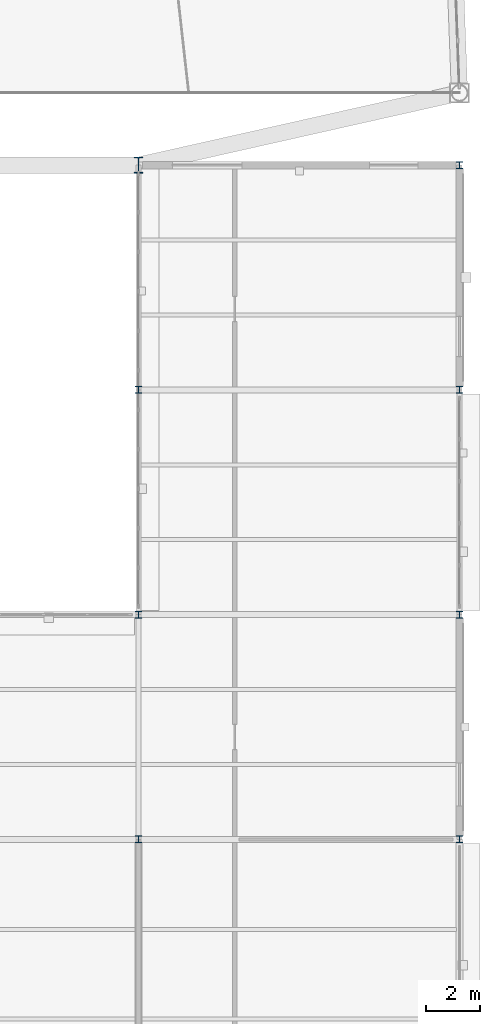
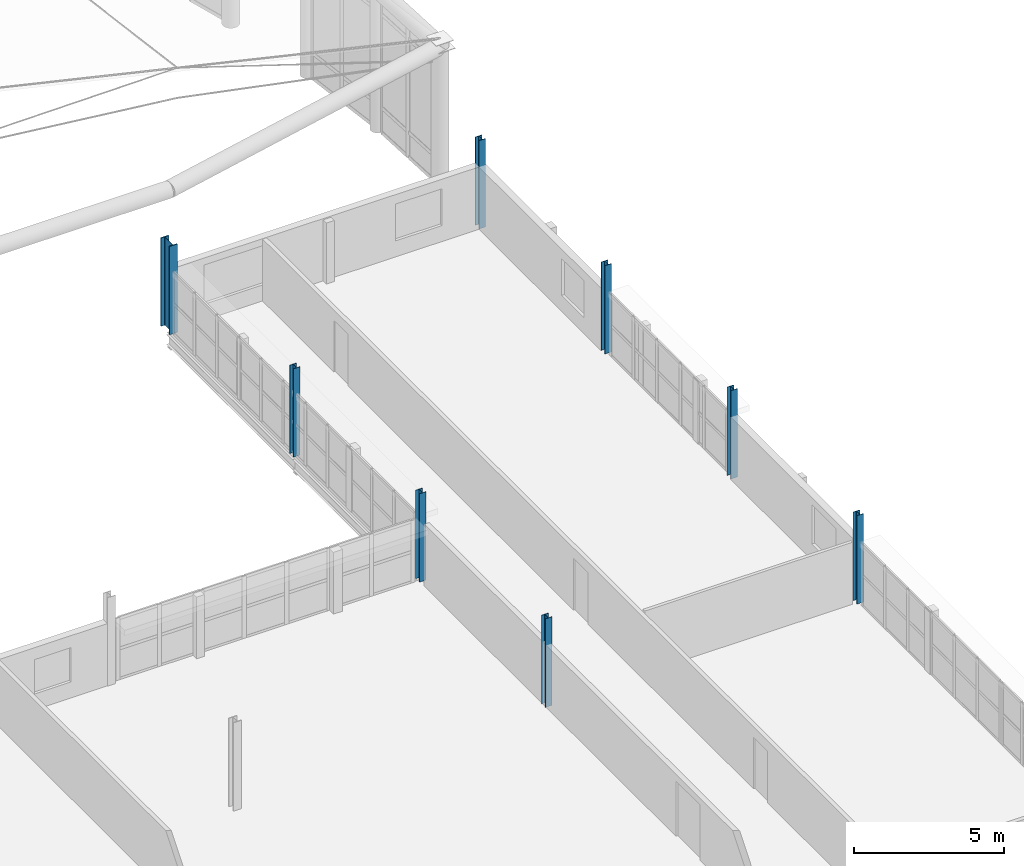
# One storey, part 20 of 101: 8 columns.
"""IFC4 building model written with IfcOpenShell, lengths in metres."""

import ifcopenshell
import ifcopenshell.guid

model = None  # the IFC model being written
_history = None  # IfcOwnerHistory: only IFC2X3 demands one
_inside = {}  # id of a spatial element -> (the spatial element, [elements in it])
_under = {}  # id of a project, library or spatial element -> (it, [spatial elements below it])
_declared = {}  # id of a project -> (the project, [libraries it declares])
_typed = {}  # id of a type object -> (the type object, [elements of that type])
_made_of = {}  # id of a material, layer set ... -> (it, [elements and type objects made of it])


def new_model(schema):
    """Start an empty IFC model of exactly this schema.

    Asked for "IFC4X3", IfcOpenShell would pick the latest addendum, in which some entities
    have other attributes; the version numbers below select the first issue.
    IFC2X3 requires an IfcOwnerHistory on every rooted entity: one is made here for all.
    """
    global model, _history
    if schema == "IFC4X3":
        model = ifcopenshell.file(schema_version=(4, 3, 0, 0))
    else:
        model = ifcopenshell.file(schema=schema)
    _inside.clear()
    _under.clear()
    _declared.clear()
    _typed.clear()
    _made_of.clear()
    _history = None
    if model.schema == "IFC2X3":
        org = make("IfcOrganization", Name="unknown")
        user = make(
            "IfcPersonAndOrganization",
            ThePerson=make("IfcPerson", FamilyName="unknown"),
            TheOrganization=org,
        )
        app = make(
            "IfcApplication",
            ApplicationDeveloper=org,
            Version="unknown",
            ApplicationFullName="unknown",
            ApplicationIdentifier="unknown",
        )
        _history = make(
            "IfcOwnerHistory",
            OwningUser=user,
            OwningApplication=app,
            ChangeAction="ADDED",
            CreationDate=0,
        )
    return model


def make(cls, **values):
    """One entity of the class cls with the attributes given. An attribute that is None is left unset."""
    return model.create_entity(
        cls, **{name: value for name, value in values.items() if value is not None}
    )


def rooted(cls, **values):
    """An entity with a GlobalId (a new one), such as an element, a storey or a relation."""
    return make(cls, GlobalId=ifcopenshell.guid.new(), OwnerHistory=_history, **values)


def si_unit(unit_type, name, prefix=None):
    """IfcSIUnit, for example si_unit("LENGTHUNIT", "METRE", prefix="MILLI")."""
    return make("IfcSIUnit", UnitType=unit_type, Prefix=prefix, Name=name)


def assignment(units):
    """IfcUnitAssignment: the units of a project."""
    return None if units is None else make("IfcUnitAssignment", Units=units)


def point(xyz):
    """IfcCartesianPoint."""
    return None if xyz is None else make("IfcCartesianPoint", Coordinates=xyz)


def direction(xyz):
    """IfcDirection."""
    return None if xyz is None else make("IfcDirection", DirectionRatios=xyz)


def frame(location, z_axis=None, x_axis=None):
    """IfcAxis2Placement3D, a coordinate frame: its origin and axes. An axis left out is left unset."""
    return make(
        "IfcAxis2Placement3D",
        Location=point(location),
        Axis=direction(z_axis),
        RefDirection=direction(x_axis),
    )


def frame_2d(location, x_axis=None):
    """IfcAxis2Placement2D, a coordinate frame in the plane: its origin and x axis."""
    return make(
        "IfcAxis2Placement2D", Location=point(location), RefDirection=direction(x_axis)
    )


def origin():
    """The frame at (0, 0, 0) with its axes left unset."""
    return frame((0.0, 0.0, 0.0))


def origin_2d():
    """The frame at (0, 0) in the plane with its x axis left unset."""
    return frame_2d((0.0, 0.0))


def place(relative_to, where):
    """IfcLocalPlacement: puts the frame where relative to a parent placement (None: the world)."""
    return make(
        "IfcLocalPlacement", PlacementRelTo=relative_to, RelativePlacement=where
    )


def context(
    kind, dimensions, precision=None, world=None, true_north=None, identifier=None
):
    """IfcGeometricRepresentationContext, for example the 3D "Model" context."""
    return make(
        "IfcGeometricRepresentationContext",
        ContextIdentifier=identifier,
        ContextType=kind,
        CoordinateSpaceDimension=dimensions,
        Precision=precision,
        WorldCoordinateSystem=world,
        TrueNorth=true_north,
    )


def subcontext(parent, identifier, kind, view, scale=None):
    """IfcGeometricRepresentationSubContext, for example "Body" below "Model"."""
    return make(
        "IfcGeometricRepresentationSubContext",
        ContextIdentifier=identifier,
        ContextType=kind,
        ParentContext=parent,
        TargetScale=scale,
        TargetView=view,
    )


def project(units=None, contexts=None):
    """IfcProject with its units and contexts."""
    return rooted(
        "IfcProject",
        Name="project",
        RepresentationContexts=contexts,
        UnitsInContext=assignment(units),
    )


def spatial(cls, under=None, at=None, **own):
    """A site, building, storey or space (cls), placed at a placement, below another one or the project."""
    s = rooted(cls, ObjectPlacement=at, **own)
    if under is not None:
        _under.setdefault(under.id(), (under, []))[1].append(s)
    return s


def profile(cls, at=None, kind="AREA", **sizes):
    """A parametric profile (cls). Its sizes go by their IFC names, for example OverallWidth=200.0."""
    return make(cls, ProfileType=kind, Position=at, **sizes)


def i_section(**sizes):
    """IfcIShapeProfileDef."""
    return profile("IfcIShapeProfileDef", **sizes)


def extrude(swept, where, along, depth):
    """IfcExtrudedAreaSolid: the profile swept, set in the frame where, extruded along a direction by depth."""
    return make(
        "IfcExtrudedAreaSolid",
        SweptArea=swept,
        Position=where,
        ExtrudedDirection=direction(along),
        Depth=depth,
    )


def shape(context_of_items, identifier, shape_type, items):
    """IfcShapeRepresentation: the items that make up one representation, for example the "Body"."""
    return make(
        "IfcShapeRepresentation",
        ContextOfItems=context_of_items,
        RepresentationIdentifier=identifier,
        RepresentationType=shape_type,
        Items=items,
    )


def material(Name=None, Category=None):
    """IfcMaterial."""
    return make("IfcMaterial", Name=Name, Category=Category)


def material_profile(
    of_material, cross_section, Name=None, Category=None, Priority=None
):
    """IfcMaterialProfile: a cross section and its material."""
    return make(
        "IfcMaterialProfile",
        Name=Name,
        Material=of_material,
        Profile=cross_section,
        Priority=Priority,
        Category=Category,
    )


def profile_set(profiles, Name=None, composite=None):
    """IfcMaterialProfileSet."""
    return make(
        "IfcMaterialProfileSet",
        Name=Name,
        MaterialProfiles=profiles,
        CompositeProfile=composite,
    )


def made_of(thing, what):
    """Note that an element or type object is made of a material, layer set ...; save() writes the relation."""
    if what is not None:
        _made_of.setdefault(what.id(), (what, []))[1].append(thing)
    return thing


def type_object(cls, material=None, **own):
    """A type object (cls), such as IfcWallType, which elements share."""
    return made_of(rooted(cls, **own), material)


def element(
    cls,
    number,
    at=None,
    inside=None,
    cuts=None,
    type_object=None,
    material=None,
    context=None,
    identifier="Body",
    shape_type=None,
    held_by="IfcProductDefinitionShape",
    body=None,
    shapes=None,
    **own,
):
    """One element of the class cls, such as IfcWall. Its Tag is "e" and its number.

    at: its placement. inside: the storey or other place that contains it. cuts: it is an
    opening in that element (IfcRelVoidsElement). A single representation is given by context,
    identifier, shape_type and body (its items); several are given by shapes. held_by: the class
    of the entity that holds the representations. save() writes the other relations.
    """
    e = rooted(cls, Tag="e%d" % number, ObjectPlacement=at, **own)
    if body is not None:
        shapes = [shape(context, identifier, shape_type, body)]
    if shapes is not None:
        e.Representation = make(held_by, Representations=shapes)
    if inside is not None:
        _inside.setdefault(inside.id(), (inside, []))[1].append(e)
    if cuts is not None:
        rooted(
            "IfcRelVoidsElement", RelatingBuildingElement=cuts, RelatedOpeningElement=e
        )
    if type_object is not None:
        _typed.setdefault(type_object.id(), (type_object, []))[1].append(e)
    return made_of(e, material)


def aggregate(whole, parts):
    """IfcRelAggregates: a whole, such as a stair, and the parts it consists of."""
    return rooted("IfcRelAggregates", RelatingObject=whole, RelatedObjects=parts)


def save(model, path):
    """Write the relations noted so far, then the file.

    IfcRelAggregates (storeys below a building ...), IfcRelContainedInSpatialStructure (elements
    in a storey), IfcRelDefinesByType, IfcRelAssociatesMaterial and IfcRelDeclares: one each for
    every whole, place, type object, material and project.
    """
    for whole, parts in _under.values():
        aggregate(whole, parts)
    for where, things in _inside.values():
        rooted(
            "IfcRelContainedInSpatialStructure",
            RelatedElements=things,
            RelatingStructure=where,
        )
    for kind, things in _typed.values():
        rooted("IfcRelDefinesByType", RelatedObjects=things, RelatingType=kind)
    for what, things in _made_of.values():
        rooted("IfcRelAssociatesMaterial", RelatedObjects=things, RelatingMaterial=what)
    for by, libraries in _declared.values():
        rooted("IfcRelDeclares", RelatingContext=by, RelatedDefinitions=libraries)
    model.write(path)


model = new_model("IFC4")

# Units and contexts
model_context = context("Model", 3, precision=1e-05, world=origin(), true_north=direction((0.0, 1.0)))
body_context = subcontext(model_context, "Body", "Model", "MODEL_VIEW")
ifc_project = project(units=[si_unit("LENGTHUNIT", "METRE"), si_unit("AREAUNIT", "SQUARE_METRE"), si_unit("VOLUMEUNIT", "CUBIC_METRE"), si_unit("PLANEANGLEUNIT", "RADIAN"), si_unit("MASSUNIT", "GRAM", prefix="KILO"), si_unit("THERMODYNAMICTEMPERATUREUNIT", "KELVIN"), si_unit("POWERUNIT", "WATT")], contexts=[model_context])

# Site, building, storey
site_placement = place(None, origin())
site = spatial("IfcSite", under=ifc_project, at=site_placement, CompositionType="ELEMENT")
building_placement = place(site_placement, origin())
building = spatial("IfcBuilding", under=site, at=building_placement, Name="Tembeka Court Mobility Hub", CompositionType="ELEMENT")
storey_placement = place(building_placement, frame((0.0, 0.0, 5.39990234375)))
storey = spatial("IfcBuildingStorey", under=building, at=storey_placement, Name="L01", CompositionType="ELEMENT", Elevation=5.39990234375)

# Columns
ifc_material = material(Name="Steel S355", Category="steel")
ifc_material_profile_1 = material_profile(ifc_material, i_section(OverallWidth=0.256103515625, OverallDepth=0.260009765625, WebThickness=0.01025390625, FlangeThickness=0.017333984375, FilletRadius=0.0126953125, at=origin_2d()), Name="UKC 254x254x89")
ifc_profile_set_1 = profile_set([ifc_material_profile_1], Name="Steel S355")
column_type_1 = type_object("IfcColumnType", Name="COL-C05", PredefinedType="COLUMN", material=ifc_profile_set_1)
for number, where, z_axis, x_axis, name in (
    (1, (164.39990234375, 38.39990234375, 0.0), (0.0, 0.0, 1.0), (1.0, 0.0, 0.0), "Column C05 (L01-223)"),
    (2, (164.39990234375, 46.800048828125, 0.0), (0.0, 0.0, 1.0), (1.0, 0.0, 0.0), "Column C05 (L01-224)"),
    (3, (164.39990234375, 55.199951171875, 0.0), (0.0, 0.0, 1.0), (1.0, 0.0, 0.0), "Column C05 (L01-225)"),
    (4, (176.39990234375, 38.39990234375, 0.0), (0.0, 0.0, 1.0), (1.0, 0.0, 0.0), "Column C05 (L01-242)"),
    (5, (176.39990234375, 46.800048828125, 0.0), (0.0, 0.0, 1.0), (1.0, 0.0, 0.0), "Column C05 (L01-243)"),
    (6, (176.39990234375, 55.199951171875, 0.0), (0.0, 0.0, 1.0), (1.0, 0.0, 0.0), "Column C05 (L01-244)"),
    (7, (176.39990234375, 63.60009765625, 0.0), (0.0, 0.0, 1.0), (1.0, 0.0, 0.0), "Column C05 (L01-245)"),
):
    element("IfcColumn", number, at=place(storey_placement, frame(where, z_axis=z_axis, x_axis=x_axis)), inside=storey, type_object=column_type_1, Name=name, PredefinedType="COLUMN", context=body_context, shape_type="SweptSolid", body=[
        extrude(i_section(OverallWidth=0.256103515625, OverallDepth=0.260009765625, WebThickness=0.01025390625, FlangeThickness=0.017333984375, FilletRadius=0.0126953125, at=origin_2d()), origin(), (0.0, 0.0, 1.0), 3.60009765625),
    ])
ifc_material_profile_2 = material_profile(ifc_material, i_section(OverallWidth=0.300048828125, OverallDepth=0.60009765625, WebThickness=0.015380859375, FlangeThickness=0.030029296875, FilletRadius=0.027099609375, at=origin_2d()), Name="HEB 600")
ifc_profile_set_2 = profile_set([ifc_material_profile_2], Name="Steel S355")
column_type_2 = type_object("IfcColumnType", Name="COL-C06", PredefinedType="COLUMN", material=ifc_profile_set_2)
column_placement = place(storey_placement, frame((164.39990234375, 63.60009765625, 0.0), z_axis=(0.0, 0.0, 1.0), x_axis=(1.0, 0.0, 0.0)))
element("IfcColumn", 8, at=column_placement, inside=storey, type_object=column_type_2, Name="Column C06 (L01-226)", PredefinedType="COLUMN", context=body_context, shape_type="SweptSolid", body=[
    extrude(i_section(OverallWidth=0.300048828125, OverallDepth=0.60009765625, WebThickness=0.015380859375, FlangeThickness=0.030029296875, FilletRadius=0.027099609375, at=origin_2d()), origin(), (0.0, 0.0, 1.0), 3.60009765625),
])

save(model, "model.ifc")
